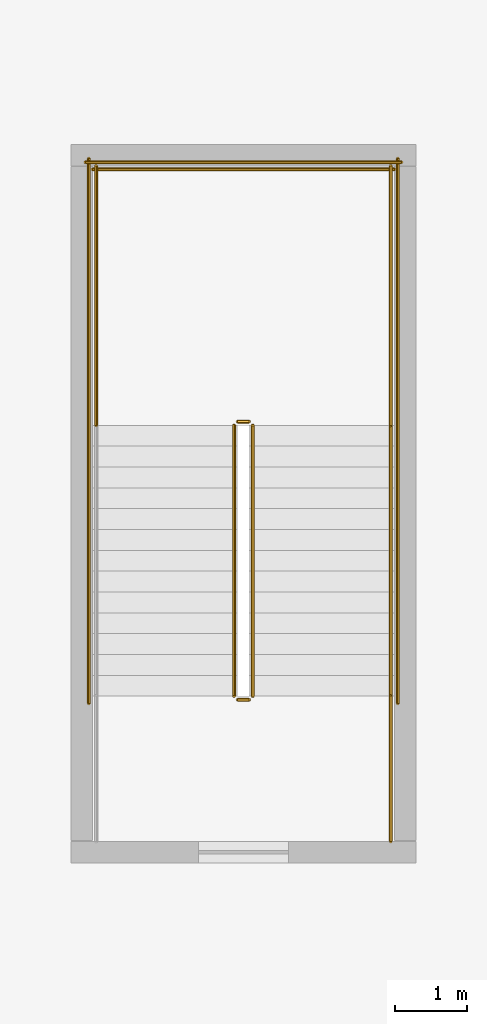
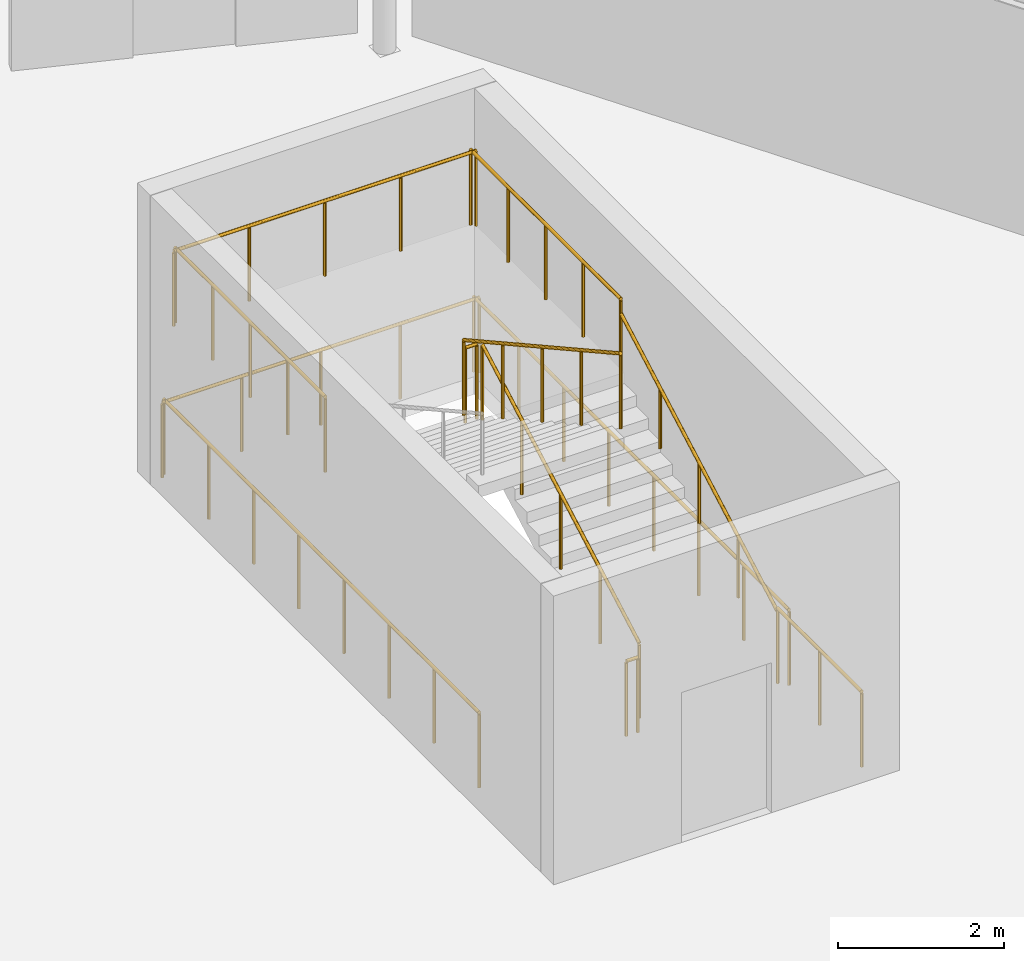
# One storey, part 77 of 77: 12 railings.
"""IFC4 building model written with IfcOpenShell, lengths in metres."""

from ifc_helpers import new_model, si_unit, direction, frame, origin, origin_2d, place, context, subcontext, project, spatial, circle, extrude, material, layer, layer_set, type_object, element, save


model = new_model("IFC4")

# Units and contexts
model_context = context("Model", 3, precision=1e-05, world=origin(), true_north=direction((0.0, 1.0)))
body_context = subcontext(model_context, "Body", "Model", "MODEL_VIEW")
ifc_project = project(units=[si_unit("LENGTHUNIT", "METRE"), si_unit("AREAUNIT", "SQUARE_METRE"), si_unit("VOLUMEUNIT", "CUBIC_METRE"), si_unit("PLANEANGLEUNIT", "RADIAN"), si_unit("MASSUNIT", "GRAM", prefix="KILO")], contexts=[model_context])

# Site, building, storey
site_placement = place(None, origin())
site = spatial("IfcSite", under=ifc_project, at=site_placement, CompositionType="ELEMENT")
building_placement = place(site_placement, origin())
building = spatial("IfcBuilding", under=site, at=building_placement, Name="Sarnbrook Museum", CompositionType="ELEMENT")
storey_placement = place(building_placement, frame((0.0, 0.0, 5.60009765625)))
storey = spatial("IfcBuildingStorey", under=building, at=storey_placement, Name="L01", CompositionType="ELEMENT", Elevation=5.60009765625)

# Railings
ifc_material = material(Name="Brushed Stainless Steel Grade 316", Category="steel")
ifc_layer_1 = layer(ifc_material, 0.050048828125)
ifc_layer_set_1 = layer_set([ifc_layer_1], Name="Brushed Stainless Steel Grade 316")
railing_type_1 = type_object("IfcRailingType", Name="Guard_Int1120", PredefinedType="BALUSTRADE", material=ifc_layer_set_1)
railing_1_placement = place(storey_placement, frame((143.929931640625, 82.52001953125, 0.16064453125)))
element("IfcRailing", 1, at=railing_1_placement, inside=storey, type_object=railing_type_1, Name="L01 ST7 stair guard 1", PredefinedType="BALUSTRADE", context=body_context, shape_type="SweptSolid", body=[
    extrude(circle(Radius=0.02392578125, at=origin_2d()), frame((0.0, 0.0, 1.09619140625), z_axis=(0.0, 0.874659101714, 0.484738543742), x_axis=(-1.0, 0.0, 0.0)), (0.0, 0.0, 1.0), 4.310302734375),
    extrude(circle(Radius=0.02099609375, at=origin_2d()), origin(), (0.0, 0.0, 1.0), 1.072021484375),
    extrude(circle(Radius=0.02099609375, at=origin_2d()), frame((0.0, 0.9423828125, 0.5224609375)), (0.0, 0.0, 1.0), 1.072021484375),
    extrude(circle(Radius=0.02099609375, at=origin_2d()), frame((0.0, 1.885009765625, 1.044677734375)), (0.0, 0.0, 1.0), 1.072021484375),
    extrude(circle(Radius=0.02099609375, at=origin_2d()), frame((0.0, 2.82763671875, 1.56689453125)), (0.0, 0.0, 1.0), 1.072021484375),
    extrude(circle(Radius=0.02099609375, at=origin_2d()), frame((0.0, 3.77001953125, 2.08935546875)), (0.0, 0.0, 1.0), 1.072021484375),
])
railing_2_placement = place(storey_placement, frame((143.8798828125, 86.340087890625, 2.25)))
element("IfcRailing", 2, at=railing_2_placement, inside=storey, type_object=railing_type_1, Name="L01 ST7 stair guard 2", PredefinedType="BALUSTRADE", context=body_context, shape_type="SweptSolid", body=[
    extrude(circle(Radius=0.02392578125, at=origin_2d()), frame((0.0, 0.0, 1.09619140625), z_axis=(-1.0, 0.0, 0.0), x_axis=(0.0, -1.0, 0.0)), (0.0, 0.0, 1.0), 0.159912109375),
    extrude(circle(Radius=0.02099609375, at=origin_2d()), origin(), (0.0, 0.0, 1.0), 1.072021484375),
    extrude(circle(Radius=0.02099609375, at=origin_2d()), frame((-0.159912109375, 0.0, 0.0)), (0.0, 0.0, 1.0), 1.072021484375),
])
for number, where, name in (
    (3, (145.85009765625, 86.2900390625, 2.25), "L01 ST7 stair guard 3"),
    (4, (141.75, 86.2900390625, 2.25), "L01 ST7 stair guard 4"),
):
    element("IfcRailing", number, at=place(storey_placement, frame(where)), inside=storey, type_object=railing_type_1, Name=name, PredefinedType="BALUSTRADE", context=body_context, shape_type="SweptSolid", body=[
        extrude(circle(Radius=0.02392578125, at=origin_2d()), frame((0.0, 0.0, 1.09619140625), z_axis=(0.0, 1.0, 0.0), x_axis=(-1.0, 0.0, 0.0)), (0.0, 0.0, 1.0), 3.60986328125),
        extrude(circle(Radius=0.02099609375, at=origin_2d()), origin(), (0.0, 0.0, 1.0), 1.072021484375),
        extrude(circle(Radius=0.02099609375, at=origin_2d()), frame((0.0, 0.90234375, 0.0)), (0.0, 0.0, 1.0), 1.072021484375),
        extrude(circle(Radius=0.02099609375, at=origin_2d()), frame((0.0, 1.804931640625, 0.0)), (0.0, 0.0, 1.0), 1.072021484375),
        extrude(circle(Radius=0.02099609375, at=origin_2d()), frame((0.0, 2.70751953125, 0.0)), (0.0, 0.0, 1.0), 1.072021484375),
        extrude(circle(Radius=0.02099609375, at=origin_2d()), frame((0.0, 3.60986328125, 0.0)), (0.0, 0.0, 1.0), 1.072021484375),
    ])
railing_3_placement = place(storey_placement, frame((145.89990234375, 89.85009765625, 2.25)))
element("IfcRailing", 5, at=railing_3_placement, inside=storey, type_object=railing_type_1, Name="L01 ST7 stair guard 5", PredefinedType="BALUSTRADE", context=body_context, shape_type="SweptSolid", body=[
    extrude(circle(Radius=0.02392578125, at=origin_2d()), frame((0.0, 0.0, 1.09619140625), z_axis=(-1.0, 0.0, 0.0), x_axis=(0.0, -1.0, 0.0)), (0.0, 0.0, 1.0), 4.199951171875),
    extrude(circle(Radius=0.02099609375, at=origin_2d()), origin(), (0.0, 0.0, 1.0), 1.072021484375),
    extrude(circle(Radius=0.02099609375, at=origin_2d()), frame((-1.050048828125, 0.0, 0.0)), (0.0, 0.0, 1.0), 1.072021484375),
    extrude(circle(Radius=0.02099609375, at=origin_2d()), frame((-2.10009765625, 0.0, 0.0)), (0.0, 0.0, 1.0), 1.072021484375),
    extrude(circle(Radius=0.02099609375, at=origin_2d()), frame((-3.14990234375, 0.0, 0.0)), (0.0, 0.0, 1.0), 1.072021484375),
    extrude(circle(Radius=0.02099609375, at=origin_2d()), frame((-4.199951171875, 0.0, 0.0)), (0.0, 0.0, 1.0), 1.072021484375),
])
railing_4_placement = place(storey_placement, frame((143.669921875, 86.2900390625, 2.41064453125)))
element("IfcRailing", 6, at=railing_4_placement, inside=storey, type_object=railing_type_1, Name="L01 ST7 stair guard 6", PredefinedType="BALUSTRADE", context=body_context, shape_type="SweptSolid", body=[
    extrude(circle(Radius=0.02392578125, at=origin_2d()), frame((0.0, 0.0, 1.09619140625), z_axis=(0.0, -0.874659101714, 0.484738543742), x_axis=(1.0, 0.0, 0.0)), (0.0, 0.0, 1.0), 4.310302734375),
    extrude(circle(Radius=0.02099609375, at=origin_2d()), origin(), (0.0, 0.0, 1.0), 1.072021484375),
    extrude(circle(Radius=0.02099609375, at=origin_2d()), frame((0.0, -0.9423828125, 0.5224609375)), (0.0, 0.0, 1.0), 1.072021484375),
    extrude(circle(Radius=0.02099609375, at=origin_2d()), frame((0.0, -1.885009765625, 1.044677734375)), (0.0, 0.0, 1.0), 1.072021484375),
    extrude(circle(Radius=0.02099609375, at=origin_2d()), frame((0.0, -2.82763671875, 1.56689453125)), (0.0, 0.0, 1.0), 1.072021484375),
    extrude(circle(Radius=0.02099609375, at=origin_2d()), frame((0.0, -3.77001953125, 2.08935546875)), (0.0, 0.0, 1.0), 1.072021484375),
])
railing_5_placement = place(storey_placement, frame((143.8798828125, 82.469970703125, 0.0)))
element("IfcRailing", 7, at=railing_5_placement, inside=storey, type_object=railing_type_1, Name="L01 ST7 stair guard 7", PredefinedType="BALUSTRADE", context=body_context, shape_type="SweptSolid", body=[
    extrude(circle(Radius=0.02392578125, at=origin_2d()), frame((0.0, 0.0, 1.09619140625), z_axis=(-1.0, 0.0, 0.0), x_axis=(0.0, -1.0, 0.0)), (0.0, 0.0, 1.0), 0.159912109375),
    extrude(circle(Radius=0.02099609375, at=origin_2d()), origin(), (0.0, 0.0, 1.0), 1.072021484375),
    extrude(circle(Radius=0.02099609375, at=origin_2d()), frame((-0.159912109375, 0.0, 0.0)), (0.0, 0.0, 1.0), 1.072021484375),
])
railing_6_placement = place(storey_placement, frame((145.85009765625, 80.5, 0.0)))
element("IfcRailing", 8, at=railing_6_placement, inside=storey, type_object=railing_type_1, Name="L01 ST7 stair guard 8", PredefinedType="BALUSTRADE", context=body_context, shape_type="SweptSolid", body=[
    extrude(circle(Radius=0.02392578125, at=origin_2d()), frame((0.0, 0.0, 1.09619140625), z_axis=(0.0, 1.0, 0.0), x_axis=(-1.0, 0.0, 0.0)), (0.0, 0.0, 1.0), 2.02001953125),
    extrude(circle(Radius=0.02099609375, at=origin_2d()), origin(), (0.0, 0.0, 1.0), 1.072021484375),
    extrude(circle(Radius=0.02099609375, at=origin_2d()), frame((0.0, 1.010009765625, 0.0)), (0.0, 0.0, 1.0), 1.072021484375),
    extrude(circle(Radius=0.02099609375, at=origin_2d()), frame((0.0, 2.02001953125, 0.0)), (0.0, 0.0, 1.0), 1.072021484375),
])
for number, where, name in (
    (9, (145.949951171875, 82.419921875, 0.0), "L01 ST7 stair guard 10"),
    (10, (141.64990234375, 82.419921875, 0.0), "L01 ST7 stair guard 11"),
):
    element("IfcRailing", number, at=place(storey_placement, frame(where)), inside=storey, type_object=railing_type_1, Name=name, PredefinedType="BALUSTRADE", context=body_context, shape_type="SweptSolid", body=[
        extrude(circle(Radius=0.02392578125, at=origin_2d()), frame((0.0, 0.0, 1.09619140625), z_axis=(0.0, 1.0, 0.0), x_axis=(-1.0, 0.0, 0.0)), (0.0, 0.0, 1.0), 7.580078125),
        extrude(circle(Radius=0.02099609375, at=origin_2d()), origin(), (0.0, 0.0, 1.0), 1.072021484375),
        extrude(circle(Radius=0.02099609375, at=origin_2d()), frame((0.0, 1.082763671875, 0.0)), (0.0, 0.0, 1.0), 1.072021484375),
        extrude(circle(Radius=0.02099609375, at=origin_2d()), frame((0.0, 2.165771484375, 0.0)), (0.0, 0.0, 1.0), 1.072021484375),
        extrude(circle(Radius=0.02099609375, at=origin_2d()), frame((0.0, 3.24853515625, 0.0)), (0.0, 0.0, 1.0), 1.072021484375),
        extrude(circle(Radius=0.02099609375, at=origin_2d()), frame((0.0, 4.33154296875, 0.0)), (0.0, 0.0, 1.0), 1.072021484375),
        extrude(circle(Radius=0.02099609375, at=origin_2d()), frame((0.0, 5.414306640625, 0.0)), (0.0, 0.0, 1.0), 1.072021484375),
        extrude(circle(Radius=0.02099609375, at=origin_2d()), frame((0.0, 6.497314453125, 0.0)), (0.0, 0.0, 1.0), 1.072021484375),
        extrude(circle(Radius=0.02099609375, at=origin_2d()), frame((0.0, 7.580078125, 0.0)), (0.0, 0.0, 1.0), 1.072021484375),
    ])
railing_7_placement = place(storey_placement, frame((146.0, 89.949951171875, 0.0)))
element("IfcRailing", 11, at=railing_7_placement, inside=storey, type_object=railing_type_1, Name="L01 ST7 stair guard 12", PredefinedType="BALUSTRADE", context=body_context, shape_type="SweptSolid", body=[
    extrude(circle(Radius=0.02392578125, at=origin_2d()), frame((0.0, 0.0, 1.09619140625), z_axis=(-1.0, 0.0, 0.0), x_axis=(0.0, -1.0, 0.0)), (0.0, 0.0, 1.0), 4.39990234375),
    extrude(circle(Radius=0.02099609375, at=origin_2d()), origin(), (0.0, 0.0, 1.0), 1.072021484375),
    extrude(circle(Radius=0.02099609375, at=origin_2d()), frame((-1.10009765625, 0.0, 0.0)), (0.0, 0.0, 1.0), 1.072021484375),
    extrude(circle(Radius=0.02099609375, at=origin_2d()), frame((-2.199951171875, 0.0, 0.0)), (0.0, 0.0, 1.0), 1.072021484375),
    extrude(circle(Radius=0.02099609375, at=origin_2d()), frame((-3.2998046875, 0.0, 0.0)), (0.0, 0.0, 1.0), 1.072021484375),
    extrude(circle(Radius=0.02099609375, at=origin_2d()), frame((-4.39990234375, 0.0, 0.0)), (0.0, 0.0, 1.0), 1.072021484375),
])
ifc_layer_2 = layer(ifc_material, 0.048095703125)
ifc_layer_set_2 = layer_set([ifc_layer_2], Name="Brushed Stainless Steel Grade 316")
railing_type_2 = type_object("IfcRailingType", Name="Handrail_920", PredefinedType="HANDRAIL", material=ifc_layer_set_2)
railing_8_placement = place(storey_placement, frame((145.85009765625, 82.52001953125, 0.16064453125)))
element("IfcRailing", 12, at=railing_8_placement, inside=storey, type_object=railing_type_2, Name="L01 ST7 stair handrail 1", PredefinedType="HANDRAIL", context=body_context, shape_type="SweptSolid", body=[
    extrude(circle(Radius=0.02392578125, at=origin_2d()), frame((0.0, 0.0, 0.8857421875), z_axis=(0.0, 0.874659101714, 0.484738543742), x_axis=(-1.0, 0.0, 0.0)), (0.0, 0.0, 1.0), 4.310302734375),
    extrude(circle(Radius=0.02099609375, at=origin_2d()), origin(), (0.0, 0.0, 1.0), 0.86181640625),
    extrude(circle(Radius=0.02099609375, at=origin_2d()), frame((0.0, 0.9423828125, 0.5224609375)), (0.0, 0.0, 1.0), 0.86181640625),
    extrude(circle(Radius=0.02099609375, at=origin_2d()), frame((0.0, 1.885009765625, 1.044677734375)), (0.0, 0.0, 1.0), 0.86181640625),
    extrude(circle(Radius=0.02099609375, at=origin_2d()), frame((0.0, 2.82763671875, 1.56689453125)), (0.0, 0.0, 1.0), 0.86181640625),
    extrude(circle(Radius=0.02099609375, at=origin_2d()), frame((0.0, 3.77001953125, 2.08935546875)), (0.0, 0.0, 1.0), 0.86181640625),
])

save(model, "model.ifc")
